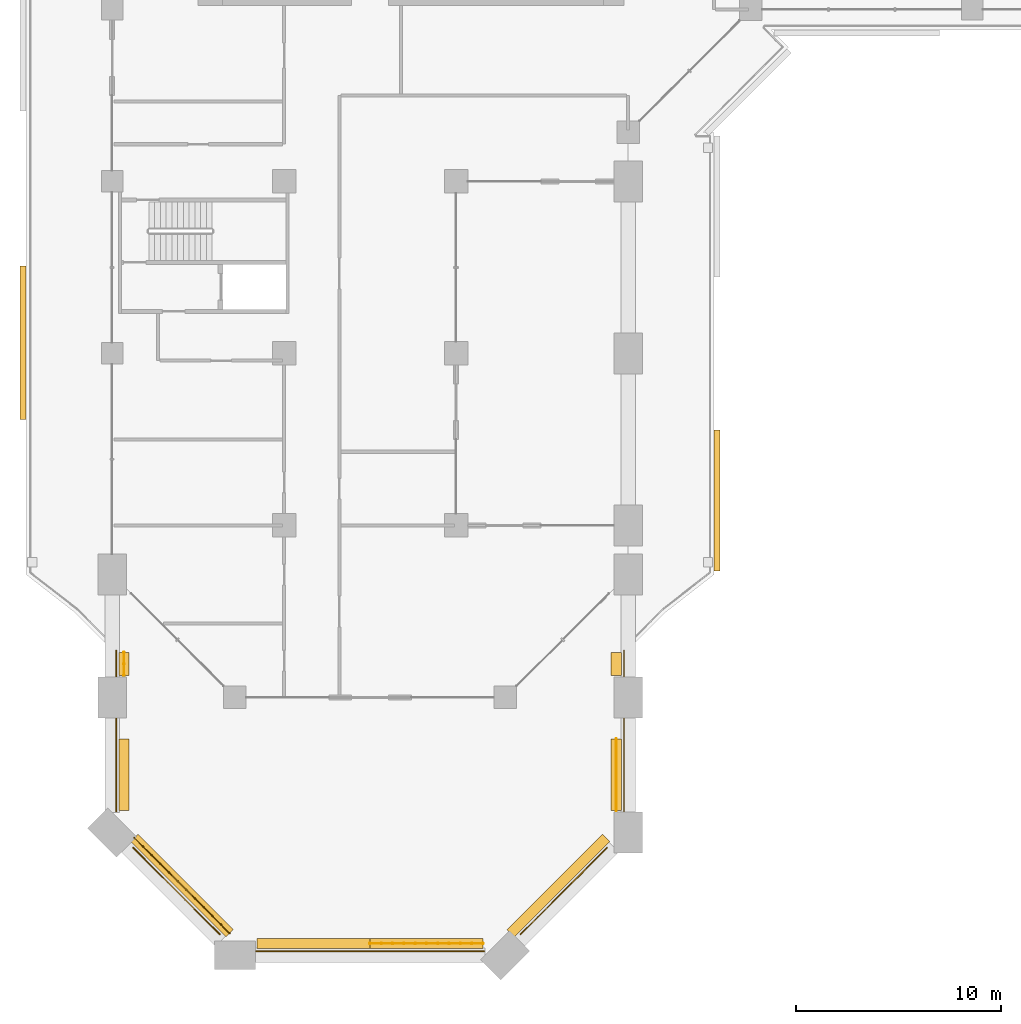
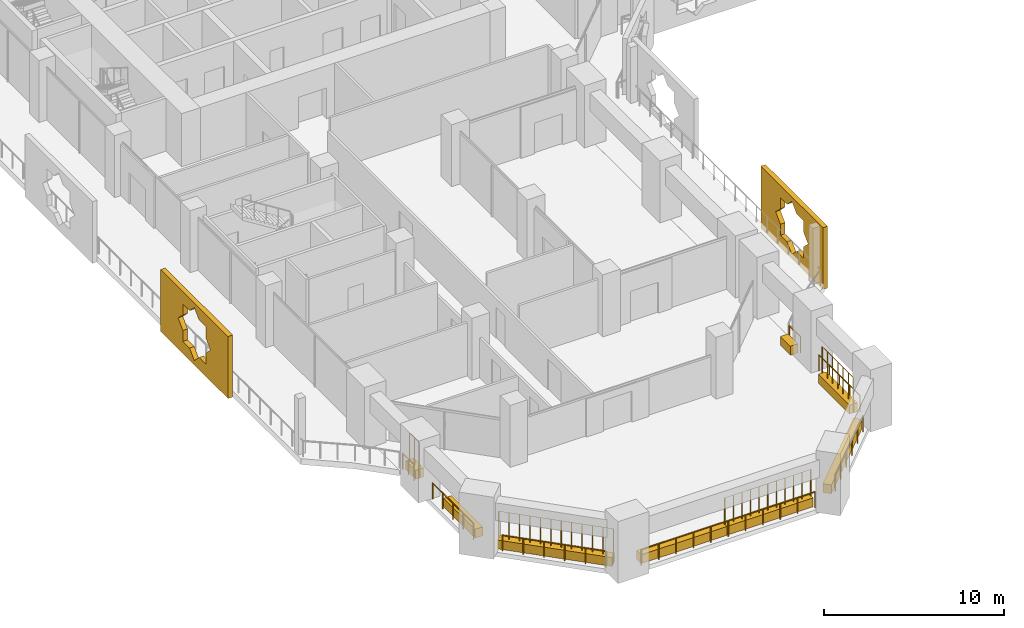
# One storey, part 19 of 25: 11 railings, 10 coverings.
"""IFC4 building model written with IfcOpenShell, lengths in metres."""

import ifcopenshell
import ifcopenshell.guid

model = None  # the IFC model being written
_history = None  # IfcOwnerHistory: only IFC2X3 demands one
_inside = {}  # id of a spatial element -> (the spatial element, [elements in it])
_under = {}  # id of a project, library or spatial element -> (it, [spatial elements below it])
_declared = {}  # id of a project -> (the project, [libraries it declares])
_typed = {}  # id of a type object -> (the type object, [elements of that type])
_made_of = {}  # id of a material, layer set ... -> (it, [elements and type objects made of it])


def new_model(schema):
    """Start an empty IFC model of exactly this schema.

    Asked for "IFC4X3", IfcOpenShell would pick the latest addendum, in which some entities
    have other attributes; the version numbers below select the first issue.
    IFC2X3 requires an IfcOwnerHistory on every rooted entity: one is made here for all.
    """
    global model, _history
    if schema == "IFC4X3":
        model = ifcopenshell.file(schema_version=(4, 3, 0, 0))
    else:
        model = ifcopenshell.file(schema=schema)
    _inside.clear()
    _under.clear()
    _declared.clear()
    _typed.clear()
    _made_of.clear()
    _history = None
    if model.schema == "IFC2X3":
        org = make("IfcOrganization", Name="unknown")
        user = make(
            "IfcPersonAndOrganization",
            ThePerson=make("IfcPerson", FamilyName="unknown"),
            TheOrganization=org,
        )
        app = make(
            "IfcApplication",
            ApplicationDeveloper=org,
            Version="unknown",
            ApplicationFullName="unknown",
            ApplicationIdentifier="unknown",
        )
        _history = make(
            "IfcOwnerHistory",
            OwningUser=user,
            OwningApplication=app,
            ChangeAction="ADDED",
            CreationDate=0,
        )
    return model


def make(cls, **values):
    """One entity of the class cls with the attributes given. An attribute that is None is left unset."""
    return model.create_entity(
        cls, **{name: value for name, value in values.items() if value is not None}
    )


def rooted(cls, **values):
    """An entity with a GlobalId (a new one), such as an element, a storey or a relation."""
    return make(cls, GlobalId=ifcopenshell.guid.new(), OwnerHistory=_history, **values)


def si_unit(unit_type, name, prefix=None):
    """IfcSIUnit, for example si_unit("LENGTHUNIT", "METRE", prefix="MILLI")."""
    return make("IfcSIUnit", UnitType=unit_type, Prefix=prefix, Name=name)


def assignment(units):
    """IfcUnitAssignment: the units of a project."""
    return None if units is None else make("IfcUnitAssignment", Units=units)


def point(xyz):
    """IfcCartesianPoint."""
    return None if xyz is None else make("IfcCartesianPoint", Coordinates=xyz)


def direction(xyz):
    """IfcDirection."""
    return None if xyz is None else make("IfcDirection", DirectionRatios=xyz)


def frame(location, z_axis=None, x_axis=None):
    """IfcAxis2Placement3D, a coordinate frame: its origin and axes. An axis left out is left unset."""
    return make(
        "IfcAxis2Placement3D",
        Location=point(location),
        Axis=direction(z_axis),
        RefDirection=direction(x_axis),
    )


def frame_2d(location, x_axis=None):
    """IfcAxis2Placement2D, a coordinate frame in the plane: its origin and x axis."""
    return make(
        "IfcAxis2Placement2D", Location=point(location), RefDirection=direction(x_axis)
    )


def origin():
    """The frame at (0, 0, 0) with its axes left unset."""
    return frame((0.0, 0.0, 0.0))


def origin_2d():
    """The frame at (0, 0) in the plane with its x axis left unset."""
    return frame_2d((0.0, 0.0))


def place(relative_to, where):
    """IfcLocalPlacement: puts the frame where relative to a parent placement (None: the world)."""
    return make(
        "IfcLocalPlacement", PlacementRelTo=relative_to, RelativePlacement=where
    )


def context(
    kind, dimensions, precision=None, world=None, true_north=None, identifier=None
):
    """IfcGeometricRepresentationContext, for example the 3D "Model" context."""
    return make(
        "IfcGeometricRepresentationContext",
        ContextIdentifier=identifier,
        ContextType=kind,
        CoordinateSpaceDimension=dimensions,
        Precision=precision,
        WorldCoordinateSystem=world,
        TrueNorth=true_north,
    )


def subcontext(parent, identifier, kind, view, scale=None):
    """IfcGeometricRepresentationSubContext, for example "Body" below "Model"."""
    return make(
        "IfcGeometricRepresentationSubContext",
        ContextIdentifier=identifier,
        ContextType=kind,
        ParentContext=parent,
        TargetScale=scale,
        TargetView=view,
    )


def project(units=None, contexts=None):
    """IfcProject with its units and contexts."""
    return rooted(
        "IfcProject",
        Name="project",
        RepresentationContexts=contexts,
        UnitsInContext=assignment(units),
    )


def spatial(cls, under=None, at=None, **own):
    """A site, building, storey or space (cls), placed at a placement, below another one or the project."""
    s = rooted(cls, ObjectPlacement=at, **own)
    if under is not None:
        _under.setdefault(under.id(), (under, []))[1].append(s)
    return s


def polyline(points):
    """IfcPolyline through the points."""
    return make("IfcPolyline", Points=[point(p) for p in points])


def profile(cls, at=None, kind="AREA", **sizes):
    """A parametric profile (cls). Its sizes go by their IFC names, for example OverallWidth=200.0."""
    return make(cls, ProfileType=kind, Position=at, **sizes)


def rectangle(**sizes):
    """IfcRectangleProfileDef."""
    return profile("IfcRectangleProfileDef", **sizes)


def circle(**sizes):
    """IfcCircleProfileDef."""
    return profile("IfcCircleProfileDef", **sizes)


def outline(outer, holes=None, kind="AREA"):
    """IfcArbitraryClosedProfileDef: a profile drawn as a closed curve; with holes, ...WithVoids."""
    if holes is None:
        return make("IfcArbitraryClosedProfileDef", ProfileType=kind, OuterCurve=outer)
    return make(
        "IfcArbitraryProfileDefWithVoids",
        ProfileType=kind,
        OuterCurve=outer,
        InnerCurves=holes,
    )


def extrude(swept, where, along, depth):
    """IfcExtrudedAreaSolid: the profile swept, set in the frame where, extruded along a direction by depth."""
    return make(
        "IfcExtrudedAreaSolid",
        SweptArea=swept,
        Position=where,
        ExtrudedDirection=direction(along),
        Depth=depth,
    )


def shape(context_of_items, identifier, shape_type, items):
    """IfcShapeRepresentation: the items that make up one representation, for example the "Body"."""
    return make(
        "IfcShapeRepresentation",
        ContextOfItems=context_of_items,
        RepresentationIdentifier=identifier,
        RepresentationType=shape_type,
        Items=items,
    )


def material(Name=None, Category=None):
    """IfcMaterial."""
    return make("IfcMaterial", Name=Name, Category=Category)


def material_profile(
    of_material, cross_section, Name=None, Category=None, Priority=None
):
    """IfcMaterialProfile: a cross section and its material."""
    return make(
        "IfcMaterialProfile",
        Name=Name,
        Material=of_material,
        Profile=cross_section,
        Priority=Priority,
        Category=Category,
    )


def profile_set(profiles, Name=None, composite=None):
    """IfcMaterialProfileSet."""
    return make(
        "IfcMaterialProfileSet",
        Name=Name,
        MaterialProfiles=profiles,
        CompositeProfile=composite,
    )


def made_of(thing, what):
    """Note that an element or type object is made of a material, layer set ...; save() writes the relation."""
    if what is not None:
        _made_of.setdefault(what.id(), (what, []))[1].append(thing)
    return thing


def type_object(cls, material=None, **own):
    """A type object (cls), such as IfcWallType, which elements share."""
    return made_of(rooted(cls, **own), material)


def element(
    cls,
    number,
    at=None,
    inside=None,
    cuts=None,
    type_object=None,
    material=None,
    context=None,
    identifier="Body",
    shape_type=None,
    held_by="IfcProductDefinitionShape",
    body=None,
    shapes=None,
    **own,
):
    """One element of the class cls, such as IfcWall. Its Tag is "e" and its number.

    at: its placement. inside: the storey or other place that contains it. cuts: it is an
    opening in that element (IfcRelVoidsElement). A single representation is given by context,
    identifier, shape_type and body (its items); several are given by shapes. held_by: the class
    of the entity that holds the representations. save() writes the other relations.
    """
    e = rooted(cls, Tag="e%d" % number, ObjectPlacement=at, **own)
    if body is not None:
        shapes = [shape(context, identifier, shape_type, body)]
    if shapes is not None:
        e.Representation = make(held_by, Representations=shapes)
    if inside is not None:
        _inside.setdefault(inside.id(), (inside, []))[1].append(e)
    if cuts is not None:
        rooted(
            "IfcRelVoidsElement", RelatingBuildingElement=cuts, RelatedOpeningElement=e
        )
    if type_object is not None:
        _typed.setdefault(type_object.id(), (type_object, []))[1].append(e)
    return made_of(e, material)


def aggregate(whole, parts):
    """IfcRelAggregates: a whole, such as a stair, and the parts it consists of."""
    return rooted("IfcRelAggregates", RelatingObject=whole, RelatedObjects=parts)


def save(model, path):
    """Write the relations noted so far, then the file.

    IfcRelAggregates (storeys below a building ...), IfcRelContainedInSpatialStructure (elements
    in a storey), IfcRelDefinesByType, IfcRelAssociatesMaterial and IfcRelDeclares: one each for
    every whole, place, type object, material and project.
    """
    for whole, parts in _under.values():
        aggregate(whole, parts)
    for where, things in _inside.values():
        rooted(
            "IfcRelContainedInSpatialStructure",
            RelatedElements=things,
            RelatingStructure=where,
        )
    for kind, things in _typed.values():
        rooted("IfcRelDefinesByType", RelatedObjects=things, RelatingType=kind)
    for what, things in _made_of.values():
        rooted("IfcRelAssociatesMaterial", RelatedObjects=things, RelatingMaterial=what)
    for by, libraries in _declared.values():
        rooted("IfcRelDeclares", RelatingContext=by, RelatedDefinitions=libraries)
    model.write(path)


model = new_model("IFC4")

# Units and contexts
model_context = context("Model", 3, precision=1e-05, world=origin(), true_north=direction((0.0, 1.0)))
body_context = subcontext(model_context, "Body", "Model", "MODEL_VIEW")
ifc_project = project(units=[si_unit("LENGTHUNIT", "METRE"), si_unit("AREAUNIT", "SQUARE_METRE"), si_unit("VOLUMEUNIT", "CUBIC_METRE"), si_unit("PLANEANGLEUNIT", "RADIAN"), si_unit("MASSUNIT", "GRAM", prefix="KILO")], contexts=[model_context])

# Site, building, storey
site_placement = place(None, origin())
site = spatial("IfcSite", under=ifc_project, at=site_placement, CompositionType="ELEMENT")
building_placement = place(site_placement, origin())
building = spatial("IfcBuilding", under=site, at=building_placement, Name="Kawkab Arch Medical Tower", CompositionType="ELEMENT")
storey_placement = place(building_placement, frame((0.0, 0.0, 98.800048828125)))
storey = spatial("IfcBuildingStorey", under=building, at=storey_placement, Name="L22", CompositionType="ELEMENT", Elevation=98.800048828125)

# Railings
ifc_material_1 = material(Name="Bronze anodised aluminium guard", Category="aluminium")
railing_type_1 = type_object("IfcRailingType", Name="Loggia and terrace guard 1100", PredefinedType="GUARDRAIL", material=ifc_material_1)
railing_1_placement = place(storey_placement, frame((0.199951171875, -56.506103515625, 0.0)))
element("IfcRailing", 1, at=railing_1_placement, inside=storey, type_object=railing_type_1, Name="Guard L22.TER-01.1.1", PredefinedType="GUARDRAIL", context=body_context, shape_type="SweptSolid", body=[
    extrude(circle(Radius=0.02392578125, at=origin_2d()), frame((0.0, 0.0, 1.076171875), z_axis=(0.0, -1.0, 0.0), x_axis=(1.0, 0.0, 0.0)), (0.0, 0.0, 1.0), 1.263916015625),
    extrude(circle(Radius=0.02099609375, at=origin_2d()), origin(), (0.0, 0.0, 1.0), 1.052001953125),
    extrude(circle(Radius=0.02099609375, at=origin_2d()), frame((0.0, -0.6318359375, 0.0)), (0.0, 0.0, 1.0), 1.052001953125),
    extrude(circle(Radius=0.02099609375, at=origin_2d()), frame((0.0, -1.263916015625, 0.0)), (0.0, 0.0, 1.0), 1.052001953125),
])
railing_2_placement = place(storey_placement, frame((0.199951171875, -59.830078125, 0.0)))
element("IfcRailing", 2, at=railing_2_placement, inside=storey, type_object=railing_type_1, Name="Guard L22.TER-01.1.2", PredefinedType="GUARDRAIL", context=body_context, shape_type="SweptSolid", body=[
    extrude(circle(Radius=0.02392578125, at=origin_2d()), frame((0.0, 0.0, 1.076171875), z_axis=(0.0, -1.0, 0.0), x_axis=(1.0, 0.0, 0.0)), (0.0, 0.0, 1.0), 4.5400390625),
    extrude(circle(Radius=0.02099609375, at=origin_2d()), origin(), (0.0, 0.0, 1.0), 1.052001953125),
    extrude(circle(Radius=0.02099609375, at=origin_2d()), frame((0.0, -1.135009765625, 0.0)), (0.0, 0.0, 1.0), 1.052001953125),
    extrude(circle(Radius=0.02099609375, at=origin_2d()), frame((0.0, -2.27001953125, 0.0)), (0.0, 0.0, 1.0), 1.052001953125),
    extrude(circle(Radius=0.02099609375, at=origin_2d()), frame((0.0, -3.405029296875, 0.0)), (0.0, 0.0, 1.0), 1.052001953125),
    extrude(circle(Radius=0.02099609375, at=origin_2d()), frame((0.0, -4.5400390625, 0.0)), (0.0, 0.0, 1.0), 1.052001953125),
])
railing_3_placement = place(storey_placement, frame((1.030029296875, -66.14697265625, 0.0)))
element("IfcRailing", 3, at=railing_3_placement, inside=storey, type_object=railing_type_1, Name="Guard L22.TER-01.1.3", PredefinedType="GUARDRAIL", context=body_context, shape_type="SweptSolid", body=[
    extrude(circle(Radius=0.02392578125, at=origin_2d()), frame((0.0, 0.0, 1.076171875), z_axis=(0.707086341325, -0.707127220457, 0.0), x_axis=(0.707127220457, 0.707086341325, 0.0)), (0.0, 0.0, 1.0), 5.97216796875),
    extrude(circle(Radius=0.02099609375, at=origin_2d()), origin(), (0.0, 0.0, 1.0), 1.052001953125),
    extrude(circle(Radius=0.02099609375, at=origin_2d()), frame((0.844482421875, -0.8447265625, 0.0)), (0.0, 0.0, 1.0), 1.052001953125),
    extrude(circle(Radius=0.02099609375, at=origin_2d()), frame((1.689208984375, -1.689208984375, 0.0)), (0.0, 0.0, 1.0), 1.052001953125),
    extrude(circle(Radius=0.02099609375, at=origin_2d()), frame((2.53369140625, -2.533935546875, 0.0)), (0.0, 0.0, 1.0), 1.052001953125),
    extrude(circle(Radius=0.02099609375, at=origin_2d()), frame((3.37841796875, -3.37841796875, 0.0)), (0.0, 0.0, 1.0), 1.052001953125),
    extrude(circle(Radius=0.02099609375, at=origin_2d()), frame((4.222900390625, -4.22314453125, 0.0)), (0.0, 0.0, 1.0), 1.052001953125),
])
railing_4_placement = place(storey_placement, frame((7.030029296875, -71.199951171875, 0.0)))
element("IfcRailing", 4, at=railing_4_placement, inside=storey, type_object=railing_type_1, Name="Guard L22.TER-01.1.4", PredefinedType="GUARDRAIL", context=body_context, shape_type="SweptSolid", body=[
    extrude(circle(Radius=0.02392578125, at=origin_2d()), frame((0.0, 0.0, 1.076171875), z_axis=(1.0, 0.0, 0.0), x_axis=(0.0, 1.0, 0.0)), (0.0, 0.0, 1.0), 11.139892578125),
    extrude(circle(Radius=0.02099609375, at=origin_2d()), origin(), (0.0, 0.0, 1.0), 1.052001953125),
    extrude(circle(Radius=0.02099609375, at=origin_2d()), frame((1.114013671875, 0.0, 0.0)), (0.0, 0.0, 1.0), 1.052001953125),
    extrude(circle(Radius=0.02099609375, at=origin_2d()), frame((2.22802734375, 0.0, 0.0)), (0.0, 0.0, 1.0), 1.052001953125),
    extrude(circle(Radius=0.02099609375, at=origin_2d()), frame((3.342041015625, 0.0, 0.0)), (0.0, 0.0, 1.0), 1.052001953125),
    extrude(circle(Radius=0.02099609375, at=origin_2d()), frame((4.4560546875, 0.0, 0.0)), (0.0, 0.0, 1.0), 1.052001953125),
    extrude(circle(Radius=0.02099609375, at=origin_2d()), frame((5.56982421875, 0.0, 0.0)), (0.0, 0.0, 1.0), 1.052001953125),
    extrude(circle(Radius=0.02099609375, at=origin_2d()), frame((6.683837890625, 0.0, 0.0)), (0.0, 0.0, 1.0), 1.052001953125),
    extrude(circle(Radius=0.02099609375, at=origin_2d()), frame((7.7978515625, 0.0, 0.0)), (0.0, 0.0, 1.0), 1.052001953125),
    extrude(circle(Radius=0.02099609375, at=origin_2d()), frame((8.911865234375, 0.0, 0.0)), (0.0, 0.0, 1.0), 1.052001953125),
    extrude(circle(Radius=0.02099609375, at=origin_2d()), frame((10.02587890625, 0.0, 0.0)), (0.0, 0.0, 1.0), 1.052001953125),
    extrude(circle(Radius=0.02099609375, at=origin_2d()), frame((11.139892578125, 0.0, 0.0)), (0.0, 0.0, 1.0), 1.052001953125),
])
railing_5_placement = place(storey_placement, frame((19.947021484375, -70.3701171875, 0.0)))
element("IfcRailing", 5, at=railing_5_placement, inside=storey, type_object=railing_type_1, Name="Guard L22.TER-01.1.5", PredefinedType="GUARDRAIL", context=body_context, shape_type="SweptSolid", body=[
    extrude(circle(Radius=0.02392578125, at=origin_2d()), frame((0.0, 0.0, 1.076171875), z_axis=(0.707086341325, 0.707127220457, 0.0), x_axis=(-0.707127220457, 0.707086341325, 0.0)), (0.0, 0.0, 1.0), 5.97216796875),
    extrude(circle(Radius=0.02099609375, at=origin_2d()), origin(), (0.0, 0.0, 1.0), 1.052001953125),
    extrude(circle(Radius=0.02099609375, at=origin_2d()), frame((0.844482421875, 0.8447265625, 0.0)), (0.0, 0.0, 1.0), 1.052001953125),
    extrude(circle(Radius=0.02099609375, at=origin_2d()), frame((1.689208984375, 1.689208984375, 0.0)), (0.0, 0.0, 1.0), 1.052001953125),
    extrude(circle(Radius=0.02099609375, at=origin_2d()), frame((2.53369140625, 2.533935546875, 0.0)), (0.0, 0.0, 1.0), 1.052001953125),
    extrude(circle(Radius=0.02099609375, at=origin_2d()), frame((3.37841796875, 3.37841796875, 0.0)), (0.0, 0.0, 1.0), 1.052001953125),
    extrude(circle(Radius=0.02099609375, at=origin_2d()), frame((4.222900390625, 4.22314453125, 0.0)), (0.0, 0.0, 1.0), 1.052001953125),
])
railing_6_placement = place(storey_placement, frame((25.0, -64.3701171875, 0.0)))
element("IfcRailing", 6, at=railing_6_placement, inside=storey, type_object=railing_type_1, Name="Guard L22.TER-01.1.6", PredefinedType="GUARDRAIL", context=body_context, shape_type="SweptSolid", body=[
    extrude(circle(Radius=0.02392578125, at=origin_2d()), frame((0.0, 0.0, 1.076171875), z_axis=(0.0, 1.0, 0.0), x_axis=(-1.0, 0.0, 0.0)), (0.0, 0.0, 1.0), 4.5400390625),
    extrude(circle(Radius=0.02099609375, at=origin_2d()), origin(), (0.0, 0.0, 1.0), 1.052001953125),
    extrude(circle(Radius=0.02099609375, at=origin_2d()), frame((0.0, 1.135009765625, 0.0)), (0.0, 0.0, 1.0), 1.052001953125),
    extrude(circle(Radius=0.02099609375, at=origin_2d()), frame((0.0, 2.27001953125, 0.0)), (0.0, 0.0, 1.0), 1.052001953125),
    extrude(circle(Radius=0.02099609375, at=origin_2d()), frame((0.0, 3.405029296875, 0.0)), (0.0, 0.0, 1.0), 1.052001953125),
    extrude(circle(Radius=0.02099609375, at=origin_2d()), frame((0.0, 4.5400390625, 0.0)), (0.0, 0.0, 1.0), 1.052001953125),
])
railing_7_placement = place(storey_placement, frame((25.0, -57.77001953125, 0.0)))
element("IfcRailing", 7, at=railing_7_placement, inside=storey, type_object=railing_type_1, Name="Guard L22.TER-01.1.7", PredefinedType="GUARDRAIL", context=body_context, shape_type="SweptSolid", body=[
    extrude(circle(Radius=0.02392578125, at=origin_2d()), frame((0.0, 0.0, 1.076171875), z_axis=(0.0, 1.0, 0.0), x_axis=(-1.0, 0.0, 0.0)), (0.0, 0.0, 1.0), 1.263916015625),
    extrude(circle(Radius=0.02099609375, at=origin_2d()), origin(), (0.0, 0.0, 1.0), 1.052001953125),
    extrude(circle(Radius=0.02099609375, at=origin_2d()), frame((0.0, 0.6318359375, 0.0)), (0.0, 0.0, 1.0), 1.052001953125),
    extrude(circle(Radius=0.02099609375, at=origin_2d()), frame((0.0, 1.263916015625, 0.0)), (0.0, 0.0, 1.0), 1.052001953125),
])

# Coverings
ifc_material_2 = material(Name="Bronze anodised aluminium mashrabiya panel, eight-point star pattern", Category="aluminium")
ifc_material_profile_1 = material_profile(ifc_material_2, outline(polyline([(-3.449951171875, -2.10009765625), (3.449951171875, -2.10009765625), (3.449951171875, 2.10009765625), (-3.449951171875, 2.10009765625), (-3.449951171875, -2.10009765625)]), holes=[polyline([(1.800048828125, 0.0), (1.272705078125, 0.527099609375), (1.272705078125, 1.272705078125), (0.527099609375, 1.272705078125), (0.0, 1.800048828125), (-0.527099609375, 1.272705078125), (-1.272705078125, 1.272705078125), (-1.272705078125, 0.527099609375), (-1.800048828125, 0.0), (-1.272705078125, -0.527099609375), (-1.272705078125, -1.272705078125), (-0.527099609375, -1.272705078125), (0.0, -1.800048828125), (0.527099609375, -1.272705078125), (1.272705078125, -1.272705078125), (1.272705078125, -0.527099609375), (1.800048828125, 0.0)])]), Name="Mashrabiya panel 6900x4200")
ifc_profile_set_1 = profile_set([ifc_material_profile_1], Name="Bronze anodised aluminium mashrabiya panel, eight-point star pattern")
covering_type_1 = type_object("IfcCoveringType", Name="Mashrabiya panel 6900 x 4200", PredefinedType="USERDEFINED", material=ifc_profile_set_1)
covering_1_placement = place(storey_placement, frame((29.39990234375, -49.177490234375, 1.699951171875), z_axis=(1.0, 0.0, 0.0), x_axis=(0.0, 1.0, 0.0)))
element("IfcCovering", 8, at=covering_1_placement, inside=storey, type_object=covering_type_1, Name="Mashrabiya panel L22.LOG-01-01.15", ObjectType="SCREEN", PredefinedType="USERDEFINED", context=body_context, shape_type="SweptSolid", body=[
    extrude(outline(polyline([(-3.449951171875, -2.10009765625), (3.449951171875, -2.10009765625), (3.449951171875, 2.10009765625), (-3.449951171875, 2.10009765625), (-3.449951171875, -2.10009765625)]), holes=[polyline([(1.800048828125, 0.0), (1.272705078125, 0.527099609375), (1.272705078125, 1.272705078125), (0.527099609375, 1.272705078125), (0.0, 1.800048828125), (-0.527099609375, 1.272705078125), (-1.272705078125, 1.272705078125), (-1.272705078125, 0.527099609375), (-1.800048828125, 0.0), (-1.272705078125, -0.527099609375), (-1.272705078125, -1.272705078125), (-0.527099609375, -1.272705078125), (0.0, -1.800048828125), (0.527099609375, -1.272705078125), (1.272705078125, -1.272705078125), (1.272705078125, -0.527099609375), (1.800048828125, 0.0)])]), origin(), (0.0, 0.0, 1.0), 0.300048828125),
])
ifc_material_3 = material(Name="Bronze anodised aluminium mashrabiya panel, eight-point star pattern", Category="aluminium")
ifc_material_profile_2 = material_profile(ifc_material_3, outline(polyline([(-3.75, -2.10009765625), (3.75, -2.10009765625), (3.75, 2.10009765625), (-3.75, 2.10009765625), (-3.75, -2.10009765625)]), holes=[polyline([(1.800048828125, 0.0), (1.272705078125, 0.527099609375), (1.272705078125, 1.272705078125), (0.527099609375, 1.272705078125), (0.0, 1.800048828125), (-0.527099609375, 1.272705078125), (-1.272705078125, 1.272705078125), (-1.272705078125, 0.527099609375), (-1.800048828125, 0.0), (-1.272705078125, -0.527099609375), (-1.272705078125, -1.272705078125), (-0.527099609375, -1.272705078125), (0.0, -1.800048828125), (0.527099609375, -1.272705078125), (1.272705078125, -1.272705078125), (1.272705078125, -0.527099609375), (1.800048828125, 0.0)])]), Name="Mashrabiya panel 7500x4200")
ifc_profile_set_2 = profile_set([ifc_material_profile_2], Name="Bronze anodised aluminium mashrabiya panel, eight-point star pattern")
covering_type_2 = type_object("IfcCoveringType", Name="Mashrabiya panel 7500 x 4200", PredefinedType="USERDEFINED", material=ifc_profile_set_2)
covering_2_placement = place(storey_placement, frame((-4.199951171875, -41.48291015625, 1.699951171875), z_axis=(-1.0, 0.0, 0.0), x_axis=(0.0, -1.0, 0.0)))
element("IfcCovering", 9, at=covering_2_placement, inside=storey, type_object=covering_type_2, Name="Mashrabiya panel L22.LOG-01-01.1", ObjectType="SCREEN", PredefinedType="USERDEFINED", context=body_context, shape_type="SweptSolid", body=[
    extrude(outline(polyline([(-3.75, -2.10009765625), (3.75, -2.10009765625), (3.75, 2.10009765625), (-3.75, 2.10009765625), (-3.75, -2.10009765625)]), holes=[polyline([(1.800048828125, 0.0), (1.272705078125, 0.527099609375), (1.272705078125, 1.272705078125), (0.527099609375, 1.272705078125), (0.0, 1.800048828125), (-0.527099609375, 1.272705078125), (-1.272705078125, 1.272705078125), (-1.272705078125, 0.527099609375), (-1.800048828125, 0.0), (-1.272705078125, -0.527099609375), (-1.272705078125, -1.272705078125), (-0.527099609375, -1.272705078125), (0.0, -1.800048828125), (0.527099609375, -1.272705078125), (1.272705078125, -1.272705078125), (1.272705078125, -0.527099609375), (1.800048828125, 0.0)])]), origin(), (0.0, 0.0, 1.0), 0.300048828125),
])
ifc_material_4 = material(Name="Planting soil in a precast trough", Category="concrete")
ifc_material_profile_3 = material_profile(ifc_material_4, rectangle(XDim=0.5, YDim=0.60009765625, at=origin_2d()), Name="Trough 500x600")
ifc_profile_set_3 = profile_set([ifc_material_profile_3], Name="Planting soil in a precast trough")
covering_type_3 = type_object("IfcCoveringType", Name="Planter trough 500 x 600", PredefinedType="USERDEFINED", material=ifc_profile_set_3)
covering_3_placement = place(storey_placement, frame((0.580078125, -56.60595703125, 0.300048828125), z_axis=(0.0, -1.0, 0.0), x_axis=(1.0, 0.0, 0.0)))
element("IfcCovering", 10, at=covering_3_placement, inside=storey, type_object=covering_type_3, Name="Planter L22.TER-01-01.1", ObjectType="PLANTER", PredefinedType="USERDEFINED", context=body_context, shape_type="SweptSolid", body=[
    extrude(rectangle(XDim=0.5, YDim=0.60009765625, at=origin_2d()), origin(), (0.0, 0.0, 1.0), 1.114013671875),
])
covering_4_placement = place(storey_placement, frame((0.580078125, -60.8310546875, 0.300048828125), z_axis=(0.0, -1.0, 0.0), x_axis=(1.0, 0.0, 0.0)))
element("IfcCovering", 11, at=covering_4_placement, inside=storey, type_object=covering_type_3, Name="Planter L22.TER-01-01.2", ObjectType="PLANTER", PredefinedType="USERDEFINED", context=body_context, shape_type="SweptSolid", body=[
    extrude(rectangle(XDim=0.5, YDim=0.60009765625, at=origin_2d()), origin(), (0.0, 0.0, 1.0), 3.489013671875),
])
covering_5_placement = place(storey_placement, frame((1.080078125, -65.656005859375, 0.300048828125), z_axis=(0.706866070309, -0.70734741015, 0.0), x_axis=(0.70734741015, 0.706866070309, 0.0)))
element("IfcCovering", 12, at=covering_5_placement, inside=storey, type_object=covering_type_3, Name="Planter L22.TER-01-01.3", ObjectType="PLANTER", PredefinedType="USERDEFINED", context=body_context, shape_type="SweptSolid", body=[
    extrude(rectangle(XDim=0.5, YDim=0.60009765625, at=origin_2d()), origin(), (0.0, 0.0, 1.0), 6.59375),
])
covering_6_placement = place(storey_placement, frame((7.080078125, -70.820068359375, 0.300048828125), z_axis=(1.0, 0.0, 0.0), x_axis=(0.0, 1.0, 0.0)))
element("IfcCovering", 13, at=covering_6_placement, inside=storey, type_object=covering_type_3, Name="Planter L22.TER-01-01.4", ObjectType="PLANTER", PredefinedType="USERDEFINED", context=body_context, shape_type="SweptSolid", body=[
    extrude(rectangle(XDim=0.5, YDim=0.60009765625, at=origin_2d()), origin(), (0.0, 0.0, 1.0), 5.517822265625),
])
covering_7_placement = place(storey_placement, frame((12.597900390625, -70.820068359375, 0.300048828125), z_axis=(1.0, 0.0, 0.0), x_axis=(0.0, 1.0, 0.0)))
element("IfcCovering", 14, at=covering_7_placement, inside=storey, type_object=covering_type_3, Name="Planter L22.TER-01-01.5", ObjectType="PLANTER", PredefinedType="USERDEFINED", context=body_context, shape_type="SweptSolid", body=[
    extrude(rectangle(XDim=0.5, YDim=0.60009765625, at=origin_2d()), origin(), (0.0, 0.0, 1.0), 5.522216796875),
])
covering_8_placement = place(storey_placement, frame((19.4560546875, -70.320068359375, 0.300048828125), z_axis=(0.707328897326, 0.706884595254, 0.0), x_axis=(-0.706884595254, 0.707328897326, 0.0)))
element("IfcCovering", 15, at=covering_8_placement, inside=storey, type_object=covering_type_3, Name="Planter L22.TER-01-01.6", ObjectType="PLANTER", PredefinedType="USERDEFINED", context=body_context, shape_type="SweptSolid", body=[
    extrude(rectangle(XDim=0.5, YDim=0.60009765625, at=origin_2d()), origin(), (0.0, 0.0, 1.0), 6.593994140625),
])
covering_9_placement = place(storey_placement, frame((24.6201171875, -64.320068359375, 0.300048828125), z_axis=(0.0, 1.0, 0.0), x_axis=(-1.0, 0.0, 0.0)))
element("IfcCovering", 16, at=covering_9_placement, inside=storey, type_object=covering_type_3, Name="Planter L22.TER-01-01.7", ObjectType="PLANTER", PredefinedType="USERDEFINED", context=body_context, shape_type="SweptSolid", body=[
    extrude(rectangle(XDim=0.5, YDim=0.60009765625, at=origin_2d()), origin(), (0.0, 0.0, 1.0), 3.487060546875),
])
covering_10_placement = place(storey_placement, frame((24.6201171875, -57.719970703125, 0.300048828125), z_axis=(0.0, 1.0, 0.0), x_axis=(-1.0, 0.0, 0.0)))
element("IfcCovering", 17, at=covering_10_placement, inside=storey, type_object=covering_type_3, Name="Planter L22.TER-01-01.8", ObjectType="PLANTER", PredefinedType="USERDEFINED", context=body_context, shape_type="SweptSolid", body=[
    extrude(rectangle(XDim=0.5, YDim=0.60009765625, at=origin_2d()), origin(), (0.0, 0.0, 1.0), 1.114013671875),
])

# Railings
ifc_material_5 = material(Name="Bronze anodised aluminium trellis for climbing plants", Category="aluminium")
railing_type_2 = type_object("IfcRailingType", Name="Planting trellis 2400", PredefinedType="USERDEFINED", material=ifc_material_5)
railing_8_placement = place(storey_placement, frame((0.580078125, -56.60595703125, 0.0)))
element("IfcRailing", 18, at=railing_8_placement, inside=storey, type_object=railing_type_2, Name="Planting trellis L22.TER-01-01.1", ObjectType="TRELLIS", PredefinedType="USERDEFINED", context=body_context, shape_type="SweptSolid", body=[
    extrude(circle(Radius=0.01513671875, at=origin_2d()), frame((0.0, 0.0, 2.384765625), z_axis=(0.0, -1.0, 0.0), x_axis=(1.0, 0.0, 0.0)), (0.0, 0.0, 1.0), 1.114013671875),
    extrude(circle(Radius=0.030029296875, at=origin_2d()), origin(), (0.0, 0.0, 1.0), 2.369873046875),
    extrude(circle(Radius=0.030029296875, at=origin_2d()), frame((0.0, -0.55712890625, 0.0)), (0.0, 0.0, 1.0), 2.369873046875),
    extrude(circle(Radius=0.030029296875, at=origin_2d()), frame((0.0, -1.114013671875, 0.0)), (0.0, 0.0, 1.0), 2.369873046875),
])
railing_9_placement = place(storey_placement, frame((1.080078125, -65.656005859375, 0.0)))
element("IfcRailing", 19, at=railing_9_placement, inside=storey, type_object=railing_type_2, Name="Planting trellis L22.TER-01-01.3", ObjectType="TRELLIS", PredefinedType="USERDEFINED", context=body_context, shape_type="SweptSolid", body=[
    extrude(circle(Radius=0.01513671875, at=origin_2d()), frame((0.0, 0.0, 2.384765625), z_axis=(0.706866070309, -0.70734741015, 0.0), x_axis=(0.70734741015, 0.706866070309, 0.0)), (0.0, 0.0, 1.0), 6.59375),
    extrude(circle(Radius=0.030029296875, at=origin_2d()), origin(), (0.0, 0.0, 1.0), 2.369873046875),
    extrude(circle(Radius=0.030029296875, at=origin_2d()), frame((0.423828125, -0.424072265625, 0.0)), (0.0, 0.0, 1.0), 2.369873046875),
    extrude(circle(Radius=0.030029296875, at=origin_2d()), frame((0.847412109375, -0.847900390625, 0.0)), (0.0, 0.0, 1.0), 2.369873046875),
    extrude(circle(Radius=0.030029296875, at=origin_2d()), frame((1.271240234375, -1.27197265625, 0.0)), (0.0, 0.0, 1.0), 2.369873046875),
    extrude(circle(Radius=0.030029296875, at=origin_2d()), frame((1.69482421875, -1.696044921875, 0.0)), (0.0, 0.0, 1.0), 2.369873046875),
    extrude(circle(Radius=0.030029296875, at=origin_2d()), frame((2.11865234375, -2.1201171875, 0.0)), (0.0, 0.0, 1.0), 2.369873046875),
    extrude(circle(Radius=0.030029296875, at=origin_2d()), frame((2.542236328125, -2.5439453125, 0.0)), (0.0, 0.0, 1.0), 2.369873046875),
    extrude(circle(Radius=0.030029296875, at=origin_2d()), frame((2.966064453125, -2.968017578125, 0.0)), (0.0, 0.0, 1.0), 2.369873046875),
    extrude(circle(Radius=0.030029296875, at=origin_2d()), frame((3.3896484375, -3.39208984375, 0.0)), (0.0, 0.0, 1.0), 2.369873046875),
    extrude(circle(Radius=0.030029296875, at=origin_2d()), frame((3.8134765625, -3.816162109375, 0.0)), (0.0, 0.0, 1.0), 2.369873046875),
    extrude(circle(Radius=0.030029296875, at=origin_2d()), frame((4.237060546875, -4.239990234375, 0.0)), (0.0, 0.0, 1.0), 2.369873046875),
    extrude(circle(Radius=0.030029296875, at=origin_2d()), frame((4.660888671875, -4.6640625, 0.0)), (0.0, 0.0, 1.0), 2.369873046875),
])
railing_10_placement = place(storey_placement, frame((12.597900390625, -70.820068359375, 0.0)))
element("IfcRailing", 20, at=railing_10_placement, inside=storey, type_object=railing_type_2, Name="Planting trellis L22.TER-01-01.5", ObjectType="TRELLIS", PredefinedType="USERDEFINED", context=body_context, shape_type="SweptSolid", body=[
    extrude(circle(Radius=0.01513671875, at=origin_2d()), frame((0.0, 0.0, 2.384765625), z_axis=(1.0, 0.0, 0.0), x_axis=(0.0, 1.0, 0.0)), (0.0, 0.0, 1.0), 5.522216796875),
    extrude(circle(Radius=0.030029296875, at=origin_2d()), origin(), (0.0, 0.0, 1.0), 2.369873046875),
    extrude(circle(Radius=0.030029296875, at=origin_2d()), frame((0.55224609375, 0.0, 0.0)), (0.0, 0.0, 1.0), 2.369873046875),
    extrude(circle(Radius=0.030029296875, at=origin_2d()), frame((1.1044921875, 0.0, 0.0)), (0.0, 0.0, 1.0), 2.369873046875),
    extrude(circle(Radius=0.030029296875, at=origin_2d()), frame((1.65673828125, 0.0, 0.0)), (0.0, 0.0, 1.0), 2.369873046875),
    extrude(circle(Radius=0.030029296875, at=origin_2d()), frame((2.208984375, 0.0, 0.0)), (0.0, 0.0, 1.0), 2.369873046875),
    extrude(circle(Radius=0.030029296875, at=origin_2d()), frame((2.76123046875, 0.0, 0.0)), (0.0, 0.0, 1.0), 2.369873046875),
    extrude(circle(Radius=0.030029296875, at=origin_2d()), frame((3.313232421875, 0.0, 0.0)), (0.0, 0.0, 1.0), 2.369873046875),
    extrude(circle(Radius=0.030029296875, at=origin_2d()), frame((3.865478515625, 0.0, 0.0)), (0.0, 0.0, 1.0), 2.369873046875),
    extrude(circle(Radius=0.030029296875, at=origin_2d()), frame((4.417724609375, 0.0, 0.0)), (0.0, 0.0, 1.0), 2.369873046875),
    extrude(circle(Radius=0.030029296875, at=origin_2d()), frame((4.969970703125, 0.0, 0.0)), (0.0, 0.0, 1.0), 2.369873046875),
    extrude(circle(Radius=0.030029296875, at=origin_2d()), frame((5.522216796875, 0.0, 0.0)), (0.0, 0.0, 1.0), 2.369873046875),
])
railing_11_placement = place(storey_placement, frame((24.6201171875, -64.320068359375, 0.0)))
element("IfcRailing", 21, at=railing_11_placement, inside=storey, type_object=railing_type_2, Name="Planting trellis L22.TER-01-01.7", ObjectType="TRELLIS", PredefinedType="USERDEFINED", context=body_context, shape_type="SweptSolid", body=[
    extrude(circle(Radius=0.01513671875, at=origin_2d()), frame((0.0, 0.0, 2.384765625), z_axis=(0.0, 1.0, 0.0), x_axis=(-1.0, 0.0, 0.0)), (0.0, 0.0, 1.0), 3.487060546875),
    extrude(circle(Radius=0.030029296875, at=origin_2d()), origin(), (0.0, 0.0, 1.0), 2.369873046875),
    extrude(circle(Radius=0.030029296875, at=origin_2d()), frame((0.0, 0.5810546875, 0.0)), (0.0, 0.0, 1.0), 2.369873046875),
    extrude(circle(Radius=0.030029296875, at=origin_2d()), frame((0.0, 1.162353515625, 0.0)), (0.0, 0.0, 1.0), 2.369873046875),
    extrude(circle(Radius=0.030029296875, at=origin_2d()), frame((0.0, 1.74365234375, 0.0)), (0.0, 0.0, 1.0), 2.369873046875),
    extrude(circle(Radius=0.030029296875, at=origin_2d()), frame((0.0, 2.32470703125, 0.0)), (0.0, 0.0, 1.0), 2.369873046875),
    extrude(circle(Radius=0.030029296875, at=origin_2d()), frame((0.0, 2.90576171875, 0.0)), (0.0, 0.0, 1.0), 2.369873046875),
    extrude(circle(Radius=0.030029296875, at=origin_2d()), frame((0.0, 3.487060546875, 0.0)), (0.0, 0.0, 1.0), 2.369873046875),
])

save(model, "model.ifc")
